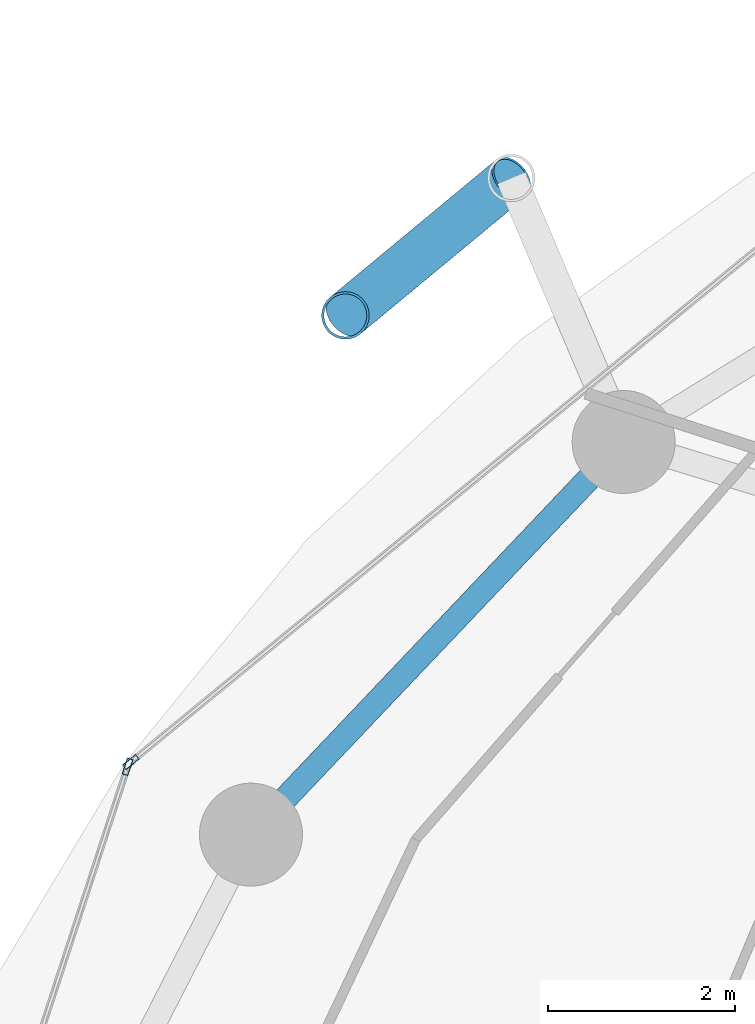
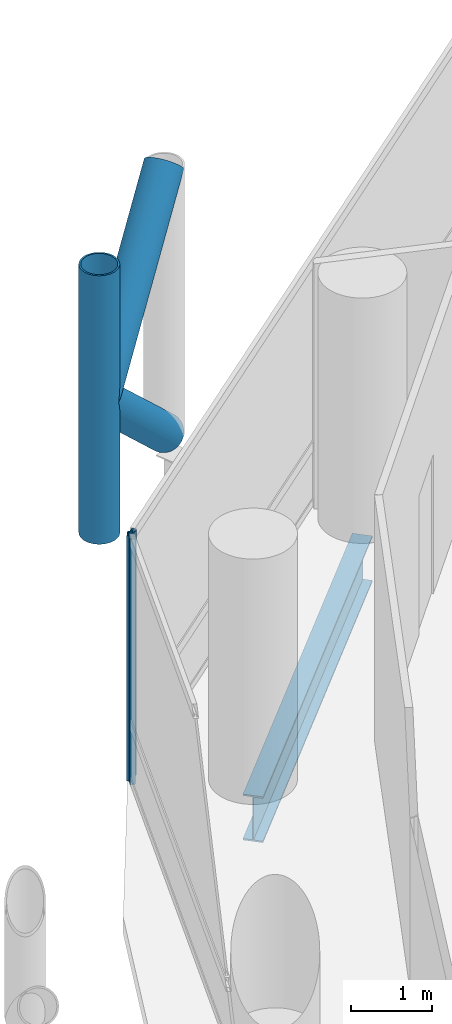
# One storey, part 13 of 27: 5 members, 1 beam, 2 elements without a shape of their own.
"""IFC4 building model written with IfcOpenShell, lengths in metres."""

from ifc_helpers import new_model, si_unit, direction, frame, origin, origin_2d, place, context, subcontext, project, spatial, hollow_rectangle, hollow_circle, i_section, extrude, material, layer, layer_set, material_profile, profile_set, type_object, element, aggregate, save


model = new_model("IFC4")

# Units and contexts
model_context = context("Model", 3, precision=1e-05, world=origin(), true_north=direction((0.0, 1.0)))
body_context = subcontext(model_context, "Body", "Model", "MODEL_VIEW")
ifc_project = project(units=[si_unit("LENGTHUNIT", "METRE"), si_unit("AREAUNIT", "SQUARE_METRE"), si_unit("VOLUMEUNIT", "CUBIC_METRE"), si_unit("PLANEANGLEUNIT", "RADIAN"), si_unit("MASSUNIT", "GRAM", prefix="KILO")], contexts=[model_context])

# Site, building, storey
site_placement = place(None, origin())
site = spatial("IfcSite", under=ifc_project, at=site_placement, CompositionType="ELEMENT")
building_placement = place(site_placement, origin())
building = spatial("IfcBuilding", under=site, at=building_placement, Name="Nuhasar Tower", CompositionType="ELEMENT")
storey_placement = place(building_placement, frame((0.0, 0.0, 102.0)))
storey = spatial("IfcBuildingStorey", under=building, at=storey_placement, Name="L24", CompositionType="ELEMENT", Elevation=102.0)

# Beam
ifc_material_1 = material(Name="Steel S355", Category="steel")
ifc_material_profile_1 = material_profile(ifc_material_1, i_section(OverallWidth=0.256103515625, OverallDepth=0.693115234375, WebThickness=0.014404296875, FlangeThickness=0.023681640625, at=origin_2d()), Name="W27X114")
ifc_profile_set_1 = profile_set([ifc_material_profile_1], Name="Steel S355")
beam_type = type_object("IfcBeamType", Name="BM-RING-W27X114", PredefinedType="SPANDREL", material=ifc_profile_set_1)
beam_placement = place(storey_placement, frame((21.287109375, 41.118896484375, -0.596923828125), z_axis=(-0.688480893507, -0.725254478976, 0.0), x_axis=(0.725254478976, -0.688480893507, 0.0)))
element("IfcBeam", 1, at=beam_placement, inside=storey, type_object=beam_type, Name="L24 Perimeter Ring Spandrel 10", PredefinedType="SPANDREL", context=body_context, shape_type="SweptSolid", body=[
    extrude(i_section(OverallWidth=0.256103515625, OverallDepth=0.693115234375, WebThickness=0.014404296875, FlangeThickness=0.023681640625, at=origin_2d()), origin(), (0.0, 0.0, 1.0), 5.782470703125),
])

# Curtain wall, member
ifc_material_2 = material(Name="Aluminium 6063-T6", Category="aluminium")
ifc_layer = layer(ifc_material_2, 0.199951171875)
ifc_layer_set = layer_set([ifc_layer], Name="Aluminium 6063-T6")
curtain_wall_type = type_object("IfcCurtainWallType", Name="CW-Z1-OFF", PredefinedType="NOTDEFINED", material=ifc_layer_set)
curtain_wall_1_placement = place(storey_placement, origin())
curtain_wall_1 = element("IfcCurtainWall", 2, at=curtain_wall_1_placement, inside=storey, type_object=curtain_wall_type, Name="L24 Unitised Curtain Wall 05", PredefinedType="NOTDEFINED")
ifc_material_profile_2 = material_profile(ifc_material_2, hollow_rectangle(XDim=0.06494140625, YDim=0.179931640625, WallThickness=0.0048828125, at=origin_2d()), Name="CWM-2")
ifc_profile_set_2 = profile_set([ifc_material_profile_2], Name="Aluminium 6063-T6")
member_type_1 = type_object("IfcMemberType", Name="CW-MUL-S2", PredefinedType="MULLION", material=ifc_profile_set_2)
member_1_placement = place(storey_placement, frame((16.023193359375, 37.70068359375, 0.0), z_axis=(0.0, 0.0, 1.0), x_axis=(0.633744593376, -0.773542364946, 0.0)))
member_1 = element("IfcMember", 3, at=member_1_placement, type_object=member_type_1, Name="CW-Z1 mullion 2", PredefinedType="MULLION", context=body_context, shape_type="SweptSolid", body=[
    extrude(hollow_rectangle(XDim=0.06494140625, YDim=0.179931640625, WallThickness=0.0048828125, at=origin_2d()), origin(), (0.0, 0.0, 1.0), 3.699951171875),
])
aggregate(curtain_wall_1, [member_1])

curtain_wall_2_placement = place(storey_placement, origin())
curtain_wall_2 = element("IfcCurtainWall", 4, at=curtain_wall_2_placement, inside=storey, type_object=curtain_wall_type, Name="L24 Unitised Curtain Wall 06", PredefinedType="NOTDEFINED")
member_2_placement = place(storey_placement, frame((15.98779296875, 37.649169921875, 0.0), z_axis=(0.0, 0.0, 1.0), x_axis=(0.950467534571, -0.310823849997, 0.0)))
member_2 = element("IfcMember", 5, at=member_2_placement, type_object=member_type_1, Name="CW-Z1 mullion 1", PredefinedType="MULLION", context=body_context, shape_type="SweptSolid", body=[
    extrude(hollow_rectangle(XDim=0.06494140625, YDim=0.179931640625, WallThickness=0.0048828125, at=origin_2d()), origin(), (0.0, 0.0, 1.0), 3.699951171875),
])
aggregate(curtain_wall_2, [member_2])

# Members
ifc_material_3 = material(Name="Steel S460", Category="steel")
ifc_material_profile_3 = material_profile(ifc_material_3, hollow_circle(Radius=0.25390625, WallThickness=0.025390625, at=origin_2d()), Name="HSS508X25.4")
ifc_profile_set_3 = profile_set([ifc_material_profile_3], Name="Steel S460")
member_type_2 = type_object("IfcMemberType", Name="EXO-BRONZE-508", PredefinedType="BRACE", material=ifc_profile_set_3)
member_3_placement = place(storey_placement, frame((18.31494140625, 42.470947265625, 0.0), z_axis=(0.0, 0.0, 1.0), x_axis=(1.0, 0.0, 0.0)))
element("IfcMember", 6, at=member_3_placement, inside=storey, type_object=member_type_2, Name="L24 Exoskeleton Chord Column EC-05B", PredefinedType="BRACE", context=body_context, shape_type="SweptSolid", body=[
    extrude(hollow_circle(Radius=0.25390625, WallThickness=0.025390625, at=origin_2d()), origin(), (0.0, 0.0, 1.0), 4.050048828125),
])
member_4_placement = place(storey_placement, frame((20.0869140625, 43.93896484375, 0.0), z_axis=(-0.578101613167, -0.478937034992, 0.660619286251), x_axis=(0.637969333506, -0.770061769929, 0.0)))
element("IfcMember", 7, at=member_4_placement, inside=storey, type_object=member_type_2, Name="L24 Bronze Diagrid Brace W1-05", PredefinedType="BRACE", context=body_context, shape_type="SweptSolid", body=[
    extrude(hollow_circle(Radius=0.25390625, WallThickness=0.025390625, at=origin_2d()), origin(), (0.0, 0.0, 1.0), 3.065185546875),
])
member_5_placement = place(storey_placement, frame((18.31494140625, 42.470947265625, 2.02490234375), z_axis=(0.578071194894, 0.478911834514, 0.660664172175), x_axis=(-0.637969333506, 0.770061769929, 0.0)))
element("IfcMember", 8, at=member_5_placement, inside=storey, type_object=member_type_2, Name="L24 Bronze Diagrid Brace W2-05", PredefinedType="BRACE", context=body_context, shape_type="SweptSolid", body=[
    extrude(hollow_circle(Radius=0.25390625, WallThickness=0.025390625, at=origin_2d()), origin(), (0.0, 0.0, 1.0), 3.0654296875),
])

save(model, "model.ifc")
